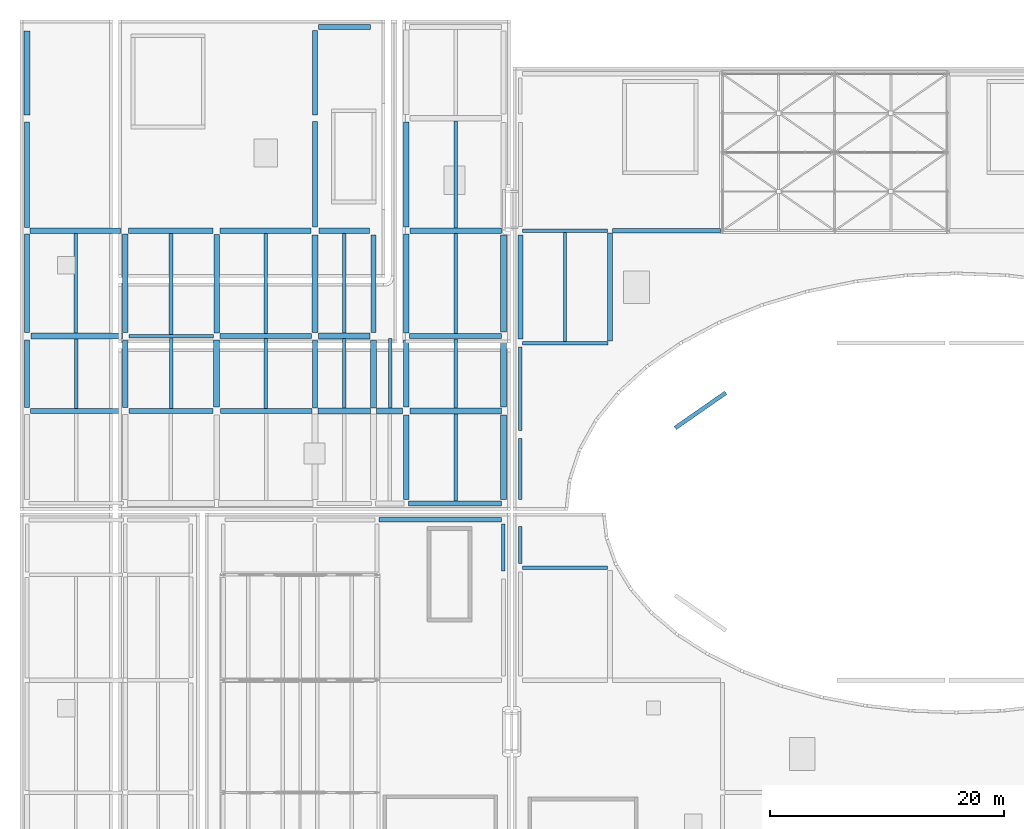
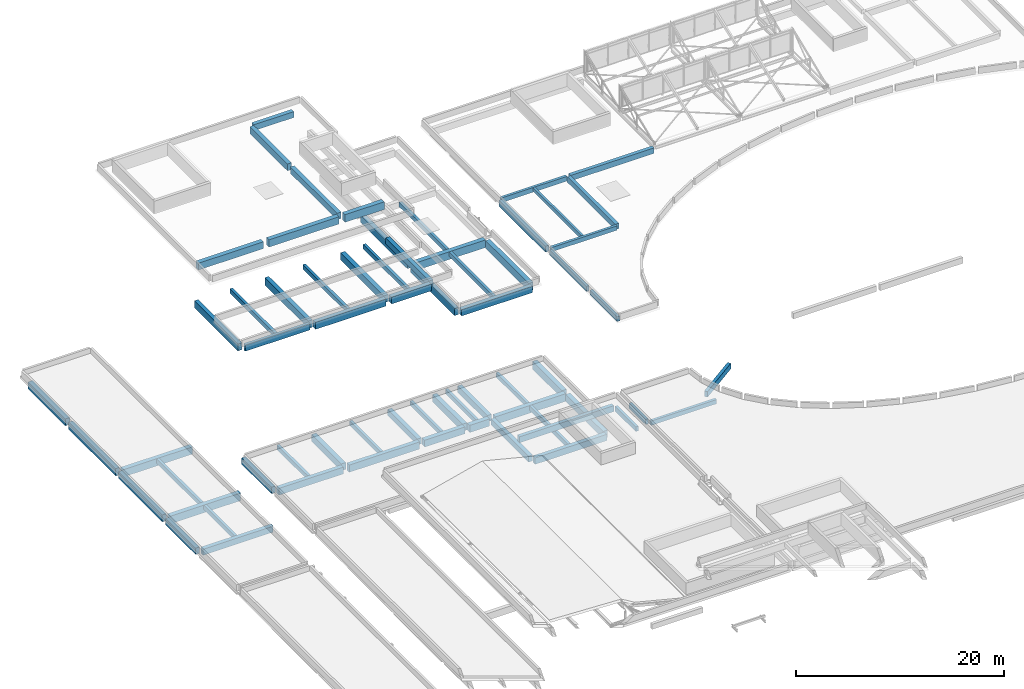
# One storey, part 10 of 40: 65 beams.
"""IFC4 building model written with IfcOpenShell, lengths in metres."""

from ifc_helpers import new_model, si_unit, direction, frame, origin, origin_2d, place, context, subcontext, project, spatial, rectangle, extrude, material, material_profile, profile_set, type_object, element, save


model = new_model("IFC4")

# Units and contexts
model_context = context("Model", 3, precision=1e-05, world=origin(), true_north=direction((0.0, 1.0)))
body_context = subcontext(model_context, "Body", "Model", "MODEL_VIEW")
ifc_project = project(units=[si_unit("LENGTHUNIT", "METRE"), si_unit("AREAUNIT", "SQUARE_METRE"), si_unit("VOLUMEUNIT", "CUBIC_METRE"), si_unit("PLANEANGLEUNIT", "RADIAN"), si_unit("MASSUNIT", "GRAM", prefix="KILO")], contexts=[model_context])

# Site, building, storey
site_placement = place(None, origin())
site = spatial("IfcSite", under=ifc_project, at=site_placement, CompositionType="ELEMENT")
building_placement = place(site_placement, origin())
building = spatial("IfcBuilding", under=site, at=building_placement, Name="Mzevani Central Library", CompositionType="ELEMENT")
storey_placement = place(building_placement, frame((0.0, 0.0, 26.699951171875)))
storey = spatial("IfcBuildingStorey", under=building, at=storey_placement, Name="RF", CompositionType="ELEMENT", Elevation=26.699951171875)

# Beams
ifc_material_1 = material(Name="Concrete C35/45", Category="concrete")
ifc_material_profile_1 = material_profile(ifc_material_1, rectangle(XDim=0.300048828125, YDim=0.5, at=origin_2d()), Name="RC B300x500")
ifc_profile_set_1 = profile_set([ifc_material_profile_1], Name="Concrete C35/45")
beam_type_1 = type_object("IfcBeamType", Name="Beam RC 300x500", PredefinedType="BEAM", material=ifc_profile_set_1)
beam_1_placement = place(storey_placement, frame((46.925048828125, 71.199951171875, -13.409912109375), z_axis=(1.0, 0.0, 0.0), x_axis=(0.0, 1.0, 0.0)))
element("IfcBeam", 1, at=beam_1_placement, inside=storey, type_object=beam_type_1, Name="RF V1 Girder B-01 (160)", PredefinedType="BEAM", context=body_context, shape_type="SweptSolid", body=[
    extrude(rectangle(XDim=0.300048828125, YDim=0.5, at=origin_2d()), origin(), (0.0, 0.0, 1.0), 7.25),
])
beam_2_placement = place(storey_placement, frame((46.925048828125, 90.39990234375, -4.7099609375), z_axis=(1.0, 0.0, 0.0), x_axis=(0.0, 1.0, 0.0)))
element("IfcBeam", 2, at=beam_2_placement, inside=storey, type_object=beam_type_1, Name="RF V3 Girder B-01 (764)", PredefinedType="BEAM", context=body_context, shape_type="SweptSolid", body=[
    extrude(rectangle(XDim=0.300048828125, YDim=0.5, at=origin_2d()), origin(), (0.0, 0.0, 1.0), 7.300048828125),
])
ifc_material_profile_2 = material_profile(ifc_material_1, rectangle(XDim=0.300048828125, YDim=0.550048828125, at=origin_2d()), Name="RC B300x550")
ifc_profile_set_2 = profile_set([ifc_material_profile_2], Name="Concrete C35/45")
beam_type_2 = type_object("IfcBeamType", Name="Beam RC 300x550", PredefinedType="BEAM", material=ifc_profile_set_2)
beam_3_placement = place(storey_placement, frame((46.925048828125, 100.0, -4.73486328125), z_axis=(1.0, 0.0, 0.0), x_axis=(0.0, 1.0, 0.0)))
element("IfcBeam", 3, at=beam_3_placement, inside=storey, type_object=beam_type_2, Name="RF V3 Girder B-02 (765)", PredefinedType="BEAM", context=body_context, shape_type="SweptSolid", body=[
    extrude(rectangle(XDim=0.300048828125, YDim=0.550048828125, at=origin_2d()), origin(), (0.0, 0.0, 1.0), 7.27490234375),
])
beam_4_placement = place(storey_placement, frame((46.75, 77.050048828125, -4.73486328125), z_axis=(0.0, 1.0, 0.0), x_axis=(-1.0, 0.0, 0.0)))
element("IfcBeam", 4, at=beam_4_placement, inside=storey, type_object=beam_type_2, Name="RF V3 Frame Beam B-02 (773)", PredefinedType="BEAM", context=body_context, shape_type="SweptSolid", body=[
    extrude(rectangle(XDim=0.300048828125, YDim=0.550048828125, at=origin_2d()), origin(), (0.0, 0.0, 1.0), 5.199951171875),
])
beam_5_placement = place(storey_placement, frame((45.300048828125, 70.949951171875, -13.43505859375), z_axis=(0.0, 1.0, 0.0), x_axis=(-1.0, 0.0, 0.0)))
element("IfcBeam", 5, at=beam_5_placement, inside=storey, type_object=beam_type_2, Name="RF V5 Frame Beam B-02 (1033)", PredefinedType="BEAM", context=body_context, shape_type="SweptSolid", body=[
    extrude(rectangle(XDim=0.300048828125, YDim=0.550048828125, at=origin_2d()), origin(), (0.0, 0.0, 1.0), 4.0),
])
ifc_material_profile_3 = material_profile(ifc_material_1, rectangle(XDim=0.300048828125, YDim=0.60009765625, at=origin_2d()), Name="RC B300x600")
ifc_profile_set_3 = profile_set([ifc_material_profile_3], Name="Concrete C35/45")
beam_type_3 = type_object("IfcBeamType", Name="Beam RC 300x600", PredefinedType="BEAM", material=ifc_profile_set_3)
beam_6_placement = place(storey_placement, frame((46.75, 71.550048828125, -13.4599609375), z_axis=(0.0, 1.0, 0.0), x_axis=(-1.0, 0.0, 0.0)))
element("IfcBeam", 6, at=beam_6_placement, inside=storey, type_object=beam_type_3, Name="RF V1 Frame Beam B-03 (162)", PredefinedType="BEAM", context=body_context, shape_type="SweptSolid", body=[
    extrude(rectangle(XDim=0.300048828125, YDim=0.60009765625, at=origin_2d()), origin(), (0.0, 0.0, 1.0), 3.199951171875),
])
beam_7_placement = place(storey_placement, frame((46.75, 82.949951171875, -4.760009765625), z_axis=(0.0, 1.0, 0.0), x_axis=(-1.0, 0.0, 0.0)))
element("IfcBeam", 7, at=beam_7_placement, inside=storey, type_object=beam_type_3, Name="RF V3 Frame Beam B-03 (774)", PredefinedType="BEAM", context=body_context, shape_type="SweptSolid", body=[
    extrude(rectangle(XDim=0.300048828125, YDim=0.60009765625, at=origin_2d()), origin(), (0.0, 0.0, 1.0), 7.10009765625),
])
ifc_material_profile_4 = material_profile(ifc_material_1, rectangle(XDim=0.35009765625, YDim=0.64990234375, at=origin_2d()), Name="RC B350x650")
ifc_profile_set_4 = profile_set([ifc_material_profile_4], Name="Concrete C35/45")
beam_type_4 = type_object("IfcBeamType", Name="Beam RC 350x650", PredefinedType="BEAM", material=ifc_profile_set_4)
beam_8_placement = place(storey_placement, frame((64.2939453125, 86.156005859375, -21.885009765625), z_axis=(-0.820607192785, -0.571492637879, 0.0), x_axis=(0.571492637879, -0.820607192785, 0.0)))
element("IfcBeam", 8, at=beam_8_placement, inside=storey, type_object=beam_type_4, Name="RF V3 Court Ring Beam 14", PredefinedType="BEAM", context=body_context, shape_type="SweptSolid", body=[
    extrude(rectangle(XDim=0.35009765625, YDim=0.64990234375, at=origin_2d()), origin(), (0.0, 0.0, 1.0), 5.26171875),
])
ifc_material_profile_5 = material_profile(ifc_material_1, rectangle(XDim=0.39990234375, YDim=0.64990234375, at=origin_2d()), Name="RC B400x650")
ifc_profile_set_5 = profile_set([ifc_material_profile_5], Name="Concrete C35/45")
beam_type_5 = type_object("IfcBeamType", Name="Beam RC 400x650", PredefinedType="BEAM", material=ifc_profile_set_5)
beam_9_placement = place(storey_placement, frame((54.60009765625, 100.0, -4.784912109375), z_axis=(1.0, 0.0, 0.0), x_axis=(0.0, 1.0, 0.0)))
element("IfcBeam", 9, at=beam_9_placement, inside=storey, type_object=beam_type_5, Name="RF V3 Girder B-07 (766)", PredefinedType="BEAM", context=body_context, shape_type="SweptSolid", body=[
    extrude(rectangle(XDim=0.39990234375, YDim=0.64990234375, at=origin_2d()), origin(), (0.0, 0.0, 1.0), 9.224853515625),
])
beam_10_placement = place(storey_placement, frame((54.39990234375, 90.574951171875, -4.784912109375), z_axis=(0.0, 1.0, 0.0), x_axis=(-1.0, 0.0, 0.0)))
element("IfcBeam", 10, at=beam_10_placement, inside=storey, type_object=beam_type_5, Name="RF V3 Frame Beam B-07 (778)", PredefinedType="BEAM", context=body_context, shape_type="SweptSolid", body=[
    extrude(rectangle(XDim=0.39990234375, YDim=0.64990234375, at=origin_2d()), origin(), (0.0, 0.0, 1.0), 9.22509765625),
])
ifc_material_profile_6 = material_profile(ifc_material_1, rectangle(XDim=0.39990234375, YDim=0.699951171875, at=origin_2d()), Name="RC B400x700")
ifc_profile_set_6 = profile_set([ifc_material_profile_6], Name="Concrete C35/45")
beam_type_6 = type_object("IfcBeamType", Name="Beam RC 400x700", PredefinedType="BEAM", material=ifc_profile_set_6)
beam_11_placement = place(storey_placement, frame((46.75, 90.75, -4.81005859375), z_axis=(0.0, 1.0, 0.0), x_axis=(-1.0, 0.0, 0.0)))
element("IfcBeam", 11, at=beam_11_placement, inside=storey, type_object=beam_type_6, Name="RF V3 Frame Beam B-08 (775)", PredefinedType="BEAM", context=body_context, shape_type="SweptSolid", body=[
    extrude(rectangle(XDim=0.39990234375, YDim=0.699951171875, at=origin_2d()), origin(), (0.0, 0.0, 1.0), 8.89990234375),
])
beam_12_placement = place(storey_placement, frame((34.675048828125, 75.300048828125, -13.510009765625), z_axis=(1.0, 0.0, 0.0), x_axis=(0.0, 1.0, 0.0)))
element("IfcBeam", 12, at=beam_12_placement, inside=storey, type_object=beam_type_6, Name="RF V5 Girder B-08 (1024)", PredefinedType="BEAM", context=body_context, shape_type="SweptSolid", body=[
    extrude(rectangle(XDim=0.39990234375, YDim=0.699951171875, at=origin_2d()), origin(), (0.0, 0.0, 1.0), 10.449951171875),
])
ifc_material_2 = material(Name="Precast concrete C40/50", Category="concrete")
ifc_material_profile_7 = material_profile(ifc_material_2, rectangle(XDim=0.300048828125, YDim=0.75, at=origin_2d()), Name="RC SP300x750")
ifc_profile_set_7 = profile_set([ifc_material_profile_7], Name="Precast concrete C40/50")
beam_type_7 = type_object("IfcBeamType", Name="Edge Spandrel Beam RC 300x750", PredefinedType="SPANDREL", material=ifc_profile_set_7)
beam_13_placement = place(storey_placement, frame((13.324951171875, 91.0, -4.8349609375), z_axis=(1.0, 0.0, 0.0), x_axis=(0.0, 1.0, 0.0)))
element("IfcBeam", 13, at=beam_13_placement, inside=storey, type_object=beam_type_7, Name="RF V2 Girder SP-01 (408)", PredefinedType="SPANDREL", context=body_context, shape_type="SweptSolid", body=[
    extrude(rectangle(XDim=0.300048828125, YDim=0.75, at=origin_2d()), origin(), (0.0, 0.0, 1.0), 7.199951171875),
])
ifc_material_profile_8 = material_profile(ifc_material_1, rectangle(XDim=0.25, YDim=0.449951171875, at=origin_2d()), Name="RC J250x450")
ifc_profile_set_8 = profile_set([ifc_material_profile_8], Name="Concrete C35/45")
beam_type_8 = type_object("IfcBeamType", Name="Floor Joist RC 250x450", PredefinedType="JOIST", material=ifc_profile_set_8)
beam_14_placement = place(storey_placement, frame((50.5625, 90.550048828125, -4.68505859375), z_axis=(0.0, 1.0, 0.0), x_axis=(-1.0, 0.0, 0.0)))
element("IfcBeam", 14, at=beam_14_placement, inside=storey, type_object=beam_type_8, Name="RF V3 Floor Joist BJ-01 (783)", PredefinedType="JOIST", context=body_context, shape_type="SweptSolid", body=[
    extrude(rectangle(XDim=0.25, YDim=0.449951171875, at=origin_2d()), origin(), (0.0, 0.0, 1.0), 9.300048828125),
])
ifc_material_3 = material(Name="Concrete C40/50", Category="concrete")
ifc_material_profile_9 = material_profile(ifc_material_3, rectangle(XDim=0.449951171875, YDim=0.699951171875, at=origin_2d()), Name="RC B450x700")
ifc_profile_set_9 = profile_set([ifc_material_profile_9], Name="Concrete C40/50")
beam_type_9 = type_object("IfcBeamType", Name="Stack Girder RC 450x700", PredefinedType="BEAM", material=ifc_profile_set_9)
beam_15_placement = place(storey_placement, frame((4.89990234375, 84.60009765625, -21.909912109375), z_axis=(1.0, 0.0, 0.0), x_axis=(0.0, 1.0, 0.0)))
element("IfcBeam", 15, at=beam_15_placement, inside=storey, type_object=beam_type_9, Name="RF V2 Girder BG-01 (210)", PredefinedType="BEAM", context=body_context, shape_type="SweptSolid", body=[
    extrude(rectangle(XDim=0.449951171875, YDim=0.699951171875, at=origin_2d()), origin(), (0.0, 0.0, 1.0), 7.775146484375),
])
beam_16_placement = place(storey_placement, frame((29.199951171875, 84.875, -17.7099609375), z_axis=(0.0, 1.0, 0.0), x_axis=(-1.0, 0.0, 0.0)))
element("IfcBeam", 16, at=beam_16_placement, inside=storey, type_object=beam_type_9, Name="RF V2 Frame Beam BG-01 (308)", PredefinedType="BEAM", context=body_context, shape_type="SweptSolid", body=[
    extrude(rectangle(XDim=0.449951171875, YDim=0.699951171875, at=origin_2d()), origin(), (0.0, 0.0, 1.0), 5.75),
])
beam_17_placement = place(storey_placement, frame((37.0, 77.050048828125, -17.7099609375), z_axis=(0.0, 1.0, 0.0), x_axis=(-1.0, 0.0, 0.0)))
element("IfcBeam", 17, at=beam_17_placement, inside=storey, type_object=beam_type_9, Name="RF V2 Frame Beam BG-01 (315)", PredefinedType="BEAM", context=body_context, shape_type="SweptSolid", body=[
    extrude(rectangle(XDim=0.449951171875, YDim=0.699951171875, at=origin_2d()), origin(), (0.0, 0.0, 1.0), 7.224853515625),
])
beam_18_placement = place(storey_placement, frame((34.199951171875, 91.300048828125, -4.81005859375), z_axis=(0.0, 1.0, 0.0), x_axis=(-1.0, 0.0, 0.0)))
element("IfcBeam", 18, at=beam_18_placement, inside=storey, type_object=beam_type_9, Name="RF V2 Frame Beam BG-01 (420)", PredefinedType="BEAM", context=body_context, shape_type="SweptSolid", body=[
    extrude(rectangle(XDim=0.449951171875, YDim=0.699951171875, at=origin_2d()), origin(), (0.0, 0.0, 1.0), 8.349853515625),
])
beam_19_placement = place(storey_placement, frame((29.5, 117.39990234375, -0.60986328125), z_axis=(1.0, 0.0, 0.0), x_axis=(0.0, 1.0, 0.0)))
element("IfcBeam", 19, at=beam_19_placement, inside=storey, type_object=beam_type_9, Name="RF V2 Girder BG-01 (427)", PredefinedType="BEAM", context=body_context, shape_type="SweptSolid", body=[
    extrude(rectangle(XDim=0.449951171875, YDim=0.699951171875, at=origin_2d()), origin(), (0.0, 0.0, 1.0), 4.425048828125),
])
ifc_material_profile_10 = material_profile(ifc_material_3, rectangle(XDim=0.449951171875, YDim=0.75, at=origin_2d()), Name="RC B450x750")
ifc_profile_set_10 = profile_set([ifc_material_profile_10], Name="Concrete C40/50")
beam_type_10 = type_object("IfcBeamType", Name="Stack Girder RC 450x750", PredefinedType="BEAM", material=ifc_profile_set_10)
beam_20_placement = place(storey_placement, frame((4.60009765625, 84.89990234375, -21.93505859375), z_axis=(0.0, 1.0, 0.0), x_axis=(-1.0, 0.0, 0.0)))
element("IfcBeam", 20, at=beam_20_placement, inside=storey, type_object=beam_type_10, Name="RF V2 Frame Beam BG-02 (232)", PredefinedType="BEAM", context=body_context, shape_type="SweptSolid", body=[
    extrude(rectangle(XDim=0.449951171875, YDim=0.75, at=origin_2d()), origin(), (0.0, 0.0, 1.0), 5.775146484375),
])
beam_21_placement = place(storey_placement, frame((37.175048828125, 76.699951171875, -17.73486328125), z_axis=(1.0, 0.0, 0.0), x_axis=(0.0, 1.0, 0.0)))
element("IfcBeam", 21, at=beam_21_placement, inside=storey, type_object=beam_type_10, Name="RF V2 Girder BG-02 (281)", PredefinedType="BEAM", context=body_context, shape_type="SweptSolid", body=[
    extrude(rectangle(XDim=0.449951171875, YDim=0.75, at=origin_2d()), origin(), (0.0, 0.0, 1.0), 7.949951171875),
])
beam_22_placement = place(storey_placement, frame((13.0, 84.89990234375, -17.73486328125), z_axis=(0.0, 1.0, 0.0), x_axis=(-1.0, 0.0, 0.0)))
element("IfcBeam", 22, at=beam_22_placement, inside=storey, type_object=beam_type_10, Name="RF V2 Frame Beam BG-02 (302)", PredefinedType="BEAM", context=body_context, shape_type="SweptSolid", body=[
    extrude(rectangle(XDim=0.449951171875, YDim=0.75, at=origin_2d()), origin(), (0.0, 0.0, 1.0), 5.7001953125),
])
beam_23_placement = place(storey_placement, frame((37.0, 84.925048828125, -17.73486328125), z_axis=(0.0, 1.0, 0.0), x_axis=(-1.0, 0.0, 0.0)))
element("IfcBeam", 23, at=beam_23_placement, inside=storey, type_object=beam_type_10, Name="RF V2 Frame Beam BG-02 (316)", PredefinedType="BEAM", context=body_context, shape_type="SweptSolid", body=[
    extrude(rectangle(XDim=0.449951171875, YDim=0.75, at=origin_2d()), origin(), (0.0, 0.0, 1.0), 5.75),
])
beam_24_placement = place(storey_placement, frame((37.27490234375, 91.0, -9.034912109375), z_axis=(1.0, 0.0, 0.0), x_axis=(0.0, 1.0, 0.0)))
element("IfcBeam", 24, at=beam_24_placement, inside=storey, type_object=beam_type_10, Name="RF V2 Girder BG-02 (379)", PredefinedType="BEAM", context=body_context, shape_type="SweptSolid", body=[
    extrude(rectangle(XDim=0.449951171875, YDim=0.75, at=origin_2d()), origin(), (0.0, 0.0, 1.0), 7.85009765625),
])
beam_25_placement = place(storey_placement, frame((29.199951171875, 100.324951171875, -0.635009765625), z_axis=(0.0, 1.0, 0.0), x_axis=(-1.0, 0.0, 0.0)))
element("IfcBeam", 25, at=beam_25_placement, inside=storey, type_object=beam_type_10, Name="RF V2 Frame Beam BG-02 (428)", PredefinedType="BEAM", context=body_context, shape_type="SweptSolid", body=[
    extrude(rectangle(XDim=0.449951171875, YDim=0.75, at=origin_2d()), origin(), (0.0, 0.0, 1.0), 9.0),
])
ifc_material_profile_11 = material_profile(ifc_material_3, rectangle(XDim=0.449951171875, YDim=0.800048828125, at=origin_2d()), Name="RC B450x800")
ifc_profile_set_11 = profile_set([ifc_material_profile_11], Name="Concrete C40/50")
beam_type_11 = type_object("IfcBeamType", Name="Stack Girder RC 450x800", PredefinedType="BEAM", material=ifc_profile_set_11)
beam_26_placement = place(storey_placement, frame((4.60009765625, 91.324951171875, -21.9599609375), z_axis=(0.0, 1.0, 0.0), x_axis=(-1.0, 0.0, 0.0)))
element("IfcBeam", 26, at=beam_26_placement, inside=storey, type_object=beam_type_11, Name="RF V2 Frame Beam BG-03 (233)", PredefinedType="BEAM", context=body_context, shape_type="SweptSolid", body=[
    extrude(rectangle(XDim=0.449951171875, YDim=0.800048828125, at=origin_2d()), origin(), (0.0, 0.0, 1.0), 8.400146484375),
])
beam_27_placement = place(storey_placement, frame((13.300048828125, 84.60009765625, -17.760009765625), z_axis=(1.0, 0.0, 0.0), x_axis=(0.0, 1.0, 0.0)))
element("IfcBeam", 27, at=beam_27_placement, inside=storey, type_object=beam_type_11, Name="RF V2 Girder BG-03 (282)", PredefinedType="BEAM", context=body_context, shape_type="SweptSolid", body=[
    extrude(rectangle(XDim=0.449951171875, YDim=0.800048828125, at=origin_2d()), origin(), (0.0, 0.0, 1.0), 7.175048828125),
])
beam_28_placement = place(storey_placement, frame((13.0, 91.324951171875, -4.85986328125), z_axis=(0.0, 1.0, 0.0), x_axis=(-1.0, 0.0, 0.0)))
element("IfcBeam", 28, at=beam_28_placement, inside=storey, type_object=beam_type_11, Name="RF V2 Frame Beam BG-03 (415)", PredefinedType="BEAM", context=body_context, shape_type="SweptSolid", body=[
    extrude(rectangle(XDim=0.449951171875, YDim=0.800048828125, at=origin_2d()), origin(), (0.0, 0.0, 1.0), 8.375),
])
beam_29_placement = place(storey_placement, frame((29.199951171875, 109.875, -0.659912109375), z_axis=(0.0, 1.0, 0.0), x_axis=(-1.0, 0.0, 0.0)))
element("IfcBeam", 29, at=beam_29_placement, inside=storey, type_object=beam_type_11, Name="RF V2 Frame Beam BG-03 (429)", PredefinedType="BEAM", context=body_context, shape_type="SweptSolid", body=[
    extrude(rectangle(XDim=0.449951171875, YDim=0.800048828125, at=origin_2d()), origin(), (0.0, 0.0, 1.0), 7.22509765625),
])
ifc_material_profile_12 = material_profile(ifc_material_3, rectangle(XDim=0.449951171875, YDim=0.85009765625, at=origin_2d()), Name="RC B450x850")
ifc_profile_set_12 = profile_set([ifc_material_profile_12], Name="Concrete C40/50")
beam_type_12 = type_object("IfcBeamType", Name="Stack Girder RC 450x850", PredefinedType="BEAM", material=ifc_profile_set_12)
beam_30_placement = place(storey_placement, frame((4.60009765625, 100.27490234375, -21.98486328125), z_axis=(0.0, 1.0, 0.0), x_axis=(-1.0, 0.0, 0.0)))
element("IfcBeam", 30, at=beam_30_placement, inside=storey, type_object=beam_type_12, Name="RF V2 Frame Beam BG-04 (234)", PredefinedType="BEAM", context=body_context, shape_type="SweptSolid", body=[
    extrude(rectangle(XDim=0.449951171875, YDim=0.85009765625, at=origin_2d()), origin(), (0.0, 0.0, 1.0), 9.025146484375),
])
beam_31_placement = place(storey_placement, frame((21.125, 84.60009765625, -17.784912109375), z_axis=(1.0, 0.0, 0.0), x_axis=(0.0, 1.0, 0.0)))
element("IfcBeam", 31, at=beam_31_placement, inside=storey, type_object=beam_type_12, Name="RF V2 Girder BG-04 (283)", PredefinedType="BEAM", context=body_context, shape_type="SweptSolid", body=[
    extrude(rectangle(XDim=0.449951171875, YDim=0.85009765625, at=origin_2d()), origin(), (0.0, 0.0, 1.0), 7.800048828125),
])
beam_32_placement = place(storey_placement, frame((37.0, 91.27490234375, -9.0849609375), z_axis=(0.0, 1.0, 0.0), x_axis=(-1.0, 0.0, 0.0)))
element("IfcBeam", 32, at=beam_32_placement, inside=storey, type_object=beam_type_12, Name="RF V2 Frame Beam BG-04 (395)", PredefinedType="BEAM", context=body_context, shape_type="SweptSolid", body=[
    extrude(rectangle(XDim=0.449951171875, YDim=0.85009765625, at=origin_2d()), origin(), (0.0, 0.0, 1.0), 8.425048828125),
])
beam_33_placement = place(storey_placement, frame((21.074951171875, 91.0, -4.885009765625), z_axis=(1.0, 0.0, 0.0), x_axis=(0.0, 1.0, 0.0)))
element("IfcBeam", 33, at=beam_33_placement, inside=storey, type_object=beam_type_12, Name="RF V2 Girder BG-04 (409)", PredefinedType="BEAM", context=body_context, shape_type="SweptSolid", body=[
    extrude(rectangle(XDim=0.449951171875, YDim=0.85009765625, at=origin_2d()), origin(), (0.0, 0.0, 1.0), 7.824951171875),
])
beam_34_placement = place(storey_placement, frame((20.800048828125, 91.27490234375, -4.885009765625), z_axis=(0.0, 1.0, 0.0), x_axis=(-1.0, 0.0, 0.0)))
element("IfcBeam", 34, at=beam_34_placement, inside=storey, type_object=beam_type_12, Name="RF V2 Frame Beam BG-04 (416)", PredefinedType="BEAM", context=body_context, shape_type="SweptSolid", body=[
    extrude(rectangle(XDim=0.449951171875, YDim=0.85009765625, at=origin_2d()), origin(), (0.0, 0.0, 1.0), 8.400146484375),
])
ifc_material_profile_13 = material_profile(ifc_material_3, rectangle(XDim=0.5, YDim=0.800048828125, at=origin_2d()), Name="RC B500x800")
ifc_profile_set_13 = profile_set([ifc_material_profile_13], Name="Concrete C40/50")
beam_type_13 = type_object("IfcBeamType", Name="Stack Girder RC 500x800", PredefinedType="BEAM", material=ifc_profile_set_13)
beam_35_placement = place(storey_placement, frame((4.60009765625, 109.89990234375, -21.9599609375), z_axis=(0.0, 1.0, 0.0), x_axis=(-1.0, 0.0, 0.0)))
element("IfcBeam", 35, at=beam_35_placement, inside=storey, type_object=beam_type_13, Name="RF V2 Frame Beam BG-05 (235)", PredefinedType="BEAM", context=body_context, shape_type="SweptSolid", body=[
    extrude(rectangle(XDim=0.5, YDim=0.800048828125, at=origin_2d()), origin(), (0.0, 0.0, 1.0), 7.175048828125),
])
beam_36_placement = place(storey_placement, frame((29.47509765625, 84.60009765625, -17.760009765625), z_axis=(1.0, 0.0, 0.0), x_axis=(0.0, 1.0, 0.0)))
element("IfcBeam", 36, at=beam_36_placement, inside=storey, type_object=beam_type_13, Name="RF V2 Girder BG-05 (284)", PredefinedType="BEAM", context=body_context, shape_type="SweptSolid", body=[
    extrude(rectangle(XDim=0.5, YDim=0.800048828125, at=origin_2d()), origin(), (0.0, 0.0, 1.0), 4.449951171875),
])
beam_37_placement = place(storey_placement, frame((20.800048828125, 84.925048828125, -17.760009765625), z_axis=(0.0, 1.0, 0.0), x_axis=(-1.0, 0.0, 0.0)))
element("IfcBeam", 37, at=beam_37_placement, inside=storey, type_object=beam_type_13, Name="RF V2 Frame Beam BG-05 (305)", PredefinedType="BEAM", context=body_context, shape_type="SweptSolid", body=[
    extrude(rectangle(XDim=0.5, YDim=0.800048828125, at=origin_2d()), origin(), (0.0, 0.0, 1.0), 5.724853515625),
])
beam_38_placement = place(storey_placement, frame((37.0, 100.300048828125, -9.06005859375), z_axis=(0.0, 1.0, 0.0), x_axis=(-1.0, 0.0, 0.0)))
element("IfcBeam", 38, at=beam_38_placement, inside=storey, type_object=beam_type_13, Name="RF V2 Frame Beam BG-05 (396)", PredefinedType="BEAM", context=body_context, shape_type="SweptSolid", body=[
    extrude(rectangle(XDim=0.5, YDim=0.800048828125, at=origin_2d()), origin(), (0.0, 0.0, 1.0), 8.974853515625),
])
beam_39_placement = place(storey_placement, frame((29.5, 91.0, -4.85986328125), z_axis=(1.0, 0.0, 0.0), x_axis=(0.0, 1.0, 0.0)))
element("IfcBeam", 39, at=beam_39_placement, inside=storey, type_object=beam_type_13, Name="RF V2 Girder BG-05 (410)", PredefinedType="BEAM", context=body_context, shape_type="SweptSolid", body=[
    extrude(rectangle(XDim=0.5, YDim=0.800048828125, at=origin_2d()), origin(), (0.0, 0.0, 1.0), 4.39990234375),
])
beam_40_placement = place(storey_placement, frame((29.199951171875, 91.300048828125, -4.85986328125), z_axis=(0.0, 1.0, 0.0), x_axis=(-1.0, 0.0, 0.0)))
element("IfcBeam", 40, at=beam_40_placement, inside=storey, type_object=beam_type_13, Name="RF V2 Frame Beam BG-05 (417)", PredefinedType="BEAM", context=body_context, shape_type="SweptSolid", body=[
    extrude(rectangle(XDim=0.5, YDim=0.800048828125, at=origin_2d()), origin(), (0.0, 0.0, 1.0), 8.349853515625),
])
beam_41_placement = place(storey_placement, frame((13.27490234375, 100.0, -0.659912109375), z_axis=(1.0, 0.0, 0.0), x_axis=(0.0, 1.0, 0.0)))
element("IfcBeam", 41, at=beam_41_placement, inside=storey, type_object=beam_type_13, Name="RF V2 Girder BG-05 (424)", PredefinedType="BEAM", context=body_context, shape_type="SweptSolid", body=[
    extrude(rectangle(XDim=0.5, YDim=0.800048828125, at=origin_2d()), origin(), (0.0, 0.0, 1.0), 7.22509765625),
])
ifc_material_profile_14 = material_profile(ifc_material_3, rectangle(XDim=0.5, YDim=0.85009765625, at=origin_2d()), Name="RC B500x850")
ifc_profile_set_14 = profile_set([ifc_material_profile_14], Name="Concrete C40/50")
beam_type_14 = type_object("IfcBeamType", Name="Stack Girder RC 500x850", PredefinedType="BEAM", material=ifc_profile_set_14)
beam_42_placement = place(storey_placement, frame((4.875, 100.0, -21.98486328125), z_axis=(1.0, 0.0, 0.0), x_axis=(0.0, 1.0, 0.0)))
element("IfcBeam", 42, at=beam_42_placement, inside=storey, type_object=beam_type_14, Name="RF V2 Girder BG-06 (222)", PredefinedType="BEAM", context=body_context, shape_type="SweptSolid", body=[
    extrude(rectangle(XDim=0.5, YDim=0.85009765625, at=origin_2d()), origin(), (0.0, 0.0, 1.0), 7.72509765625),
])
beam_43_placement = place(storey_placement, frame((34.47509765625, 84.60009765625, -17.784912109375), z_axis=(1.0, 0.0, 0.0), x_axis=(0.0, 1.0, 0.0)))
element("IfcBeam", 43, at=beam_43_placement, inside=storey, type_object=beam_type_14, Name="RF V2 Girder BG-06 (285)", PredefinedType="BEAM", context=body_context, shape_type="SweptSolid", body=[
    extrude(rectangle(XDim=0.5, YDim=0.85009765625, at=origin_2d()), origin(), (0.0, 0.0, 1.0), 2.199951171875),
])
beam_44_placement = place(storey_placement, frame((34.199951171875, 84.875, -17.784912109375), z_axis=(0.0, 1.0, 0.0), x_axis=(-1.0, 0.0, 0.0)))
element("IfcBeam", 44, at=beam_44_placement, inside=storey, type_object=beam_type_14, Name="RF V2 Frame Beam BG-06 (313)", PredefinedType="BEAM", context=body_context, shape_type="SweptSolid", body=[
    extrude(rectangle(XDim=0.5, YDim=0.85009765625, at=origin_2d()), origin(), (0.0, 0.0, 1.0), 5.75),
])
beam_45_placement = place(storey_placement, frame((45.300048828125, 77.050048828125, -17.784912109375), z_axis=(0.0, 1.0, 0.0), x_axis=(-1.0, 0.0, 0.0)))
element("IfcBeam", 45, at=beam_45_placement, inside=storey, type_object=beam_type_14, Name="RF V2 Frame Beam BG-06 (320)", PredefinedType="BEAM", context=body_context, shape_type="SweptSolid", body=[
    extrude(rectangle(XDim=0.5, YDim=0.85009765625, at=origin_2d()), origin(), (0.0, 0.0, 1.0), 7.199951171875),
])
beam_46_placement = place(storey_placement, frame((21.10009765625, 100.0, -0.68505859375), z_axis=(1.0, 0.0, 0.0), x_axis=(0.0, 1.0, 0.0)))
element("IfcBeam", 46, at=beam_46_placement, inside=storey, type_object=beam_type_14, Name="RF V2 Girder BG-06 (425)", PredefinedType="BEAM", context=body_context, shape_type="SweptSolid", body=[
    extrude(rectangle(XDim=0.5, YDim=0.85009765625, at=origin_2d()), origin(), (0.0, 0.0, 1.0), 7.77490234375),
])
ifc_material_profile_15 = material_profile(ifc_material_3, rectangle(XDim=0.5, YDim=0.89990234375, at=origin_2d()), Name="RC B500x900")
ifc_profile_set_15 = profile_set([ifc_material_profile_15], Name="Concrete C40/50")
beam_type_15 = type_object("IfcBeamType", Name="Stack Girder RC 500x900", PredefinedType="BEAM", material=ifc_profile_set_15)
beam_47_placement = place(storey_placement, frame((4.925048828125, 91.0, -22.010009765625), z_axis=(1.0, 0.0, 0.0), x_axis=(0.0, 1.0, 0.0)))
element("IfcBeam", 47, at=beam_47_placement, inside=storey, type_object=beam_type_15, Name="RF V2 Girder BG-07 (216)", PredefinedType="BEAM", context=body_context, shape_type="SweptSolid", body=[
    extrude(rectangle(XDim=0.5, YDim=0.89990234375, at=origin_2d()), origin(), (0.0, 0.0, 1.0), 7.824951171875),
])
beam_48_placement = place(storey_placement, frame((37.324951171875, 84.60009765625, -17.81005859375), z_axis=(1.0, 0.0, 0.0), x_axis=(0.0, 1.0, 0.0)))
element("IfcBeam", 48, at=beam_48_placement, inside=storey, type_object=beam_type_15, Name="RF V2 Girder BG-07 (286)", PredefinedType="BEAM", context=body_context, shape_type="SweptSolid", body=[
    extrude(rectangle(XDim=0.5, YDim=0.89990234375, at=origin_2d()), origin(), (0.0, 0.0, 1.0), 7.800048828125),
])
beam_49_placement = place(storey_placement, frame((45.300048828125, 84.949951171875, -17.81005859375), z_axis=(0.0, 1.0, 0.0), x_axis=(-1.0, 0.0, 0.0)))
element("IfcBeam", 49, at=beam_49_placement, inside=storey, type_object=beam_type_15, Name="RF V2 Frame Beam BG-07 (321)", PredefinedType="BEAM", context=body_context, shape_type="SweptSolid", body=[
    extrude(rectangle(XDim=0.5, YDim=0.89990234375, at=origin_2d()), origin(), (0.0, 0.0, 1.0), 5.699951171875),
])
beam_50_placement = place(storey_placement, frame((37.300048828125, 100.0, -9.10986328125), z_axis=(1.0, 0.0, 0.0), x_axis=(0.0, 1.0, 0.0)))
element("IfcBeam", 50, at=beam_50_placement, inside=storey, type_object=beam_type_15, Name="RF V2 Girder BG-07 (384)", PredefinedType="BEAM", context=body_context, shape_type="SweptSolid", body=[
    extrude(rectangle(XDim=0.5, YDim=0.89990234375, at=origin_2d()), origin(), (0.0, 0.0, 1.0), 7.824951171875),
])
beam_51_placement = place(storey_placement, frame((45.300048828125, 91.35009765625, -9.10986328125), z_axis=(0.0, 1.0, 0.0), x_axis=(-1.0, 0.0, 0.0)))
element("IfcBeam", 51, at=beam_51_placement, inside=storey, type_object=beam_type_15, Name="RF V2 Frame Beam BG-07 (398)", PredefinedType="BEAM", context=body_context, shape_type="SweptSolid", body=[
    extrude(rectangle(XDim=0.5, YDim=0.89990234375, at=origin_2d()), origin(), (0.0, 0.0, 1.0), 8.2998046875),
])
beam_52_placement = place(storey_placement, frame((29.52490234375, 100.0, -0.7099609375), z_axis=(1.0, 0.0, 0.0), x_axis=(0.0, 1.0, 0.0)))
element("IfcBeam", 52, at=beam_52_placement, inside=storey, type_object=beam_type_15, Name="RF V2 Girder BG-07 (426)", PredefinedType="BEAM", context=body_context, shape_type="SweptSolid", body=[
    extrude(rectangle(XDim=0.5, YDim=0.89990234375, at=origin_2d()), origin(), (0.0, 0.0, 1.0), 4.35009765625),
])
ifc_material_profile_16 = material_profile(ifc_material_3, rectangle(XDim=0.300048828125, YDim=0.52001953125, at=origin_2d()), Name="RC J300x520")
ifc_profile_set_16 = profile_set([ifc_material_profile_16], Name="Concrete C40/50")
beam_type_16 = type_object("IfcBeamType", Name="Stack Joist RC 300x520", PredefinedType="JOIST", material=ifc_profile_set_16)
beam_53_placement = place(storey_placement, frame((8.800048828125, 84.824951171875, -21.820068359375), z_axis=(0.0, 1.0, 0.0), x_axis=(-1.0, 0.0, 0.0)))
element("IfcBeam", 53, at=beam_53_placement, inside=storey, type_object=beam_type_16, Name="RF V2 Floor Joist BJ-04 (265)", PredefinedType="JOIST", context=body_context, shape_type="SweptSolid", body=[
    extrude(rectangle(XDim=0.300048828125, YDim=0.52001953125, at=origin_2d()), origin(), (0.0, 0.0, 1.0), 5.925048828125),
])
beam_54_placement = place(storey_placement, frame((8.762451171875, 91.25, -21.820068359375), z_axis=(0.0, 1.0, 0.0), x_axis=(-1.0, 0.0, 0.0)))
element("IfcBeam", 54, at=beam_54_placement, inside=storey, type_object=beam_type_16, Name="RF V2 Floor Joist BJ-04 (271)", PredefinedType="JOIST", context=body_context, shape_type="SweptSolid", body=[
    extrude(rectangle(XDim=0.300048828125, YDim=0.52001953125, at=origin_2d()), origin(), (0.0, 0.0, 1.0), 8.5),
])
beam_55_placement = place(storey_placement, frame((41.22509765625, 76.925048828125, -17.619873046875), z_axis=(0.0, 1.0, 0.0), x_axis=(-1.0, 0.0, 0.0)))
element("IfcBeam", 55, at=beam_55_placement, inside=storey, type_object=beam_type_16, Name="RF V2 Floor Joist BJ-04 (329)", PredefinedType="JOIST", context=body_context, shape_type="SweptSolid", body=[
    extrude(rectangle(XDim=0.300048828125, YDim=0.52001953125, at=origin_2d()), origin(), (0.0, 0.0, 1.0), 7.425048828125),
])
for number, where, z_axis, x_axis, name in (
    (56, (16.925048828125, 84.824951171875, -17.619873046875), (0.0, 1.0, 0.0), (-1.0, 0.0, 0.0), "RF V2 Floor Joist BJ-04 (330)"),
    (57, (24.987548828125, 84.824951171875, -17.619873046875), (0.0, 1.0, 0.0), (-1.0, 0.0, 0.0), "RF V2 Floor Joist BJ-04 (331)"),
):
    element("IfcBeam", number, at=place(storey_placement, frame(where, z_axis=z_axis, x_axis=x_axis)), inside=storey, type_object=beam_type_16, Name=name, PredefinedType="JOIST", context=body_context, shape_type="SweptSolid", body=[
        extrude(rectangle(XDim=0.300048828125, YDim=0.52001953125, at=origin_2d()), origin(), (0.0, 0.0, 1.0), 5.949951171875),
    ])
for number, where, z_axis, x_axis, name in (
    (58, (31.699951171875, 84.85009765625, -17.619873046875), (0.0, 1.0, 0.0), (-1.0, 0.0, 0.0), "RF V2 Floor Joist BJ-04 (332)"),
    (59, (35.625, 84.85009765625, -17.619873046875), (0.0, 1.0, 0.0), (-1.0, 0.0, 0.0), "RF V2 Floor Joist BJ-04 (333)"),
):
    element("IfcBeam", number, at=place(storey_placement, frame(where, z_axis=z_axis, x_axis=x_axis)), inside=storey, type_object=beam_type_16, Name=name, PredefinedType="JOIST", context=body_context, shape_type="SweptSolid", body=[
        extrude(rectangle(XDim=0.300048828125, YDim=0.52001953125, at=origin_2d()), origin(), (0.0, 0.0, 1.0), 5.9248046875),
    ])
beam_56_placement = place(storey_placement, frame((41.22509765625, 84.85009765625, -17.619873046875), z_axis=(0.0, 1.0, 0.0), x_axis=(-1.0, 0.0, 0.0)))
element("IfcBeam", 60, at=beam_56_placement, inside=storey, type_object=beam_type_16, Name="RF V2 Floor Joist BJ-04 (334)", PredefinedType="JOIST", context=body_context, shape_type="SweptSolid", body=[
    extrude(rectangle(XDim=0.300048828125, YDim=0.52001953125, at=origin_2d()), origin(), (0.0, 0.0, 1.0), 5.89990234375),
])
beam_57_placement = place(storey_placement, frame((41.21240234375, 91.22509765625, -8.919921875), z_axis=(0.0, 1.0, 0.0), x_axis=(-1.0, 0.0, 0.0)))
element("IfcBeam", 61, at=beam_57_placement, inside=storey, type_object=beam_type_16, Name="RF V2 Floor Joist BJ-04 (405)", PredefinedType="JOIST", context=body_context, shape_type="SweptSolid", body=[
    extrude(rectangle(XDim=0.300048828125, YDim=0.52001953125, at=origin_2d()), origin(), (0.0, 0.0, 1.0), 8.52490234375),
])
beam_58_placement = place(storey_placement, frame((41.22509765625, 100.25, -8.919921875), z_axis=(0.0, 1.0, 0.0), x_axis=(-1.0, 0.0, 0.0)))
element("IfcBeam", 62, at=beam_58_placement, inside=storey, type_object=beam_type_16, Name="RF V2 Floor Joist BJ-04 (406)", PredefinedType="JOIST", context=body_context, shape_type="SweptSolid", body=[
    extrude(rectangle(XDim=0.300048828125, YDim=0.52001953125, at=origin_2d()), origin(), (0.0, 0.0, 1.0), 9.125),
])
beam_59_placement = place(storey_placement, frame((16.89990234375, 91.14990234375, -4.719970703125), z_axis=(0.0, 1.0, 0.0), x_axis=(-1.0, 0.0, 0.0)))
element("IfcBeam", 63, at=beam_59_placement, inside=storey, type_object=beam_type_16, Name="RF V2 Floor Joist BJ-04 (421)", PredefinedType="JOIST", context=body_context, shape_type="SweptSolid", body=[
    extrude(rectangle(XDim=0.300048828125, YDim=0.52001953125, at=origin_2d()), origin(), (0.0, 0.0, 1.0), 8.60009765625),
])
for number, where, z_axis, x_axis, name in (
    (64, (24.987548828125, 91.22509765625, -4.719970703125), (0.0, 1.0, 0.0), (-1.0, 0.0, 0.0), "RF V2 Floor Joist BJ-04 (422)"),
    (65, (31.699951171875, 91.25, -4.719970703125), (0.0, 1.0, 0.0), (-1.0, 0.0, 0.0), "RF V2 Floor Joist BJ-04 (423)"),
):
    element("IfcBeam", number, at=place(storey_placement, frame(where, z_axis=z_axis, x_axis=x_axis)), inside=storey, type_object=beam_type_16, Name=name, PredefinedType="JOIST", context=body_context, shape_type="SweptSolid", body=[
        extrude(rectangle(XDim=0.300048828125, YDim=0.52001953125, at=origin_2d()), origin(), (0.0, 0.0, 1.0), 8.52490234375),
    ])

save(model, "model.ifc")
